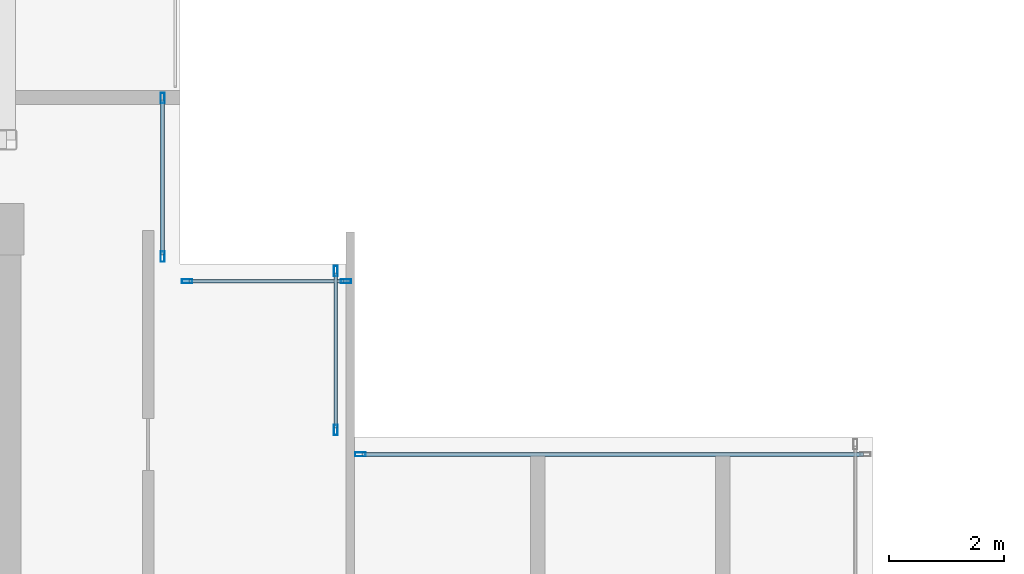
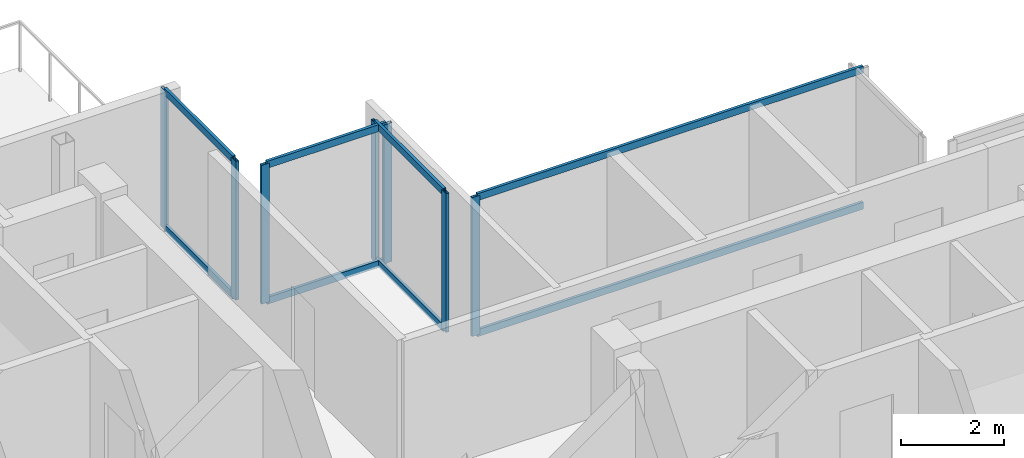
# One storey, part 10 of 19: 15 members, 4 elements without a shape of their own.
"""IFC4 building model written with IfcOpenShell, lengths in metres."""

import ifcopenshell
import ifcopenshell.guid

model = None  # the IFC model being written
_history = None  # IfcOwnerHistory: only IFC2X3 demands one
_inside = {}  # id of a spatial element -> (the spatial element, [elements in it])
_under = {}  # id of a project, library or spatial element -> (it, [spatial elements below it])
_declared = {}  # id of a project -> (the project, [libraries it declares])
_typed = {}  # id of a type object -> (the type object, [elements of that type])
_made_of = {}  # id of a material, layer set ... -> (it, [elements and type objects made of it])


def new_model(schema):
    """Start an empty IFC model of exactly this schema.

    Asked for "IFC4X3", IfcOpenShell would pick the latest addendum, in which some entities
    have other attributes; the version numbers below select the first issue.
    IFC2X3 requires an IfcOwnerHistory on every rooted entity: one is made here for all.
    """
    global model, _history
    if schema == "IFC4X3":
        model = ifcopenshell.file(schema_version=(4, 3, 0, 0))
    else:
        model = ifcopenshell.file(schema=schema)
    _inside.clear()
    _under.clear()
    _declared.clear()
    _typed.clear()
    _made_of.clear()
    _history = None
    if model.schema == "IFC2X3":
        org = make("IfcOrganization", Name="unknown")
        user = make(
            "IfcPersonAndOrganization",
            ThePerson=make("IfcPerson", FamilyName="unknown"),
            TheOrganization=org,
        )
        app = make(
            "IfcApplication",
            ApplicationDeveloper=org,
            Version="unknown",
            ApplicationFullName="unknown",
            ApplicationIdentifier="unknown",
        )
        _history = make(
            "IfcOwnerHistory",
            OwningUser=user,
            OwningApplication=app,
            ChangeAction="ADDED",
            CreationDate=0,
        )
    return model


def make(cls, **values):
    """One entity of the class cls with the attributes given. An attribute that is None is left unset."""
    return model.create_entity(
        cls, **{name: value for name, value in values.items() if value is not None}
    )


def rooted(cls, **values):
    """An entity with a GlobalId (a new one), such as an element, a storey or a relation."""
    return make(cls, GlobalId=ifcopenshell.guid.new(), OwnerHistory=_history, **values)


def si_unit(unit_type, name, prefix=None):
    """IfcSIUnit, for example si_unit("LENGTHUNIT", "METRE", prefix="MILLI")."""
    return make("IfcSIUnit", UnitType=unit_type, Prefix=prefix, Name=name)


def assignment(units):
    """IfcUnitAssignment: the units of a project."""
    return None if units is None else make("IfcUnitAssignment", Units=units)


def point(xyz):
    """IfcCartesianPoint."""
    return None if xyz is None else make("IfcCartesianPoint", Coordinates=xyz)


def direction(xyz):
    """IfcDirection."""
    return None if xyz is None else make("IfcDirection", DirectionRatios=xyz)


def frame(location, z_axis=None, x_axis=None):
    """IfcAxis2Placement3D, a coordinate frame: its origin and axes. An axis left out is left unset."""
    return make(
        "IfcAxis2Placement3D",
        Location=point(location),
        Axis=direction(z_axis),
        RefDirection=direction(x_axis),
    )


def frame_2d(location, x_axis=None):
    """IfcAxis2Placement2D, a coordinate frame in the plane: its origin and x axis."""
    return make(
        "IfcAxis2Placement2D", Location=point(location), RefDirection=direction(x_axis)
    )


def origin():
    """The frame at (0, 0, 0) with its axes left unset."""
    return frame((0.0, 0.0, 0.0))


def origin_2d():
    """The frame at (0, 0) in the plane with its x axis left unset."""
    return frame_2d((0.0, 0.0))


def place(relative_to, where):
    """IfcLocalPlacement: puts the frame where relative to a parent placement (None: the world)."""
    return make(
        "IfcLocalPlacement", PlacementRelTo=relative_to, RelativePlacement=where
    )


def context(
    kind, dimensions, precision=None, world=None, true_north=None, identifier=None
):
    """IfcGeometricRepresentationContext, for example the 3D "Model" context."""
    return make(
        "IfcGeometricRepresentationContext",
        ContextIdentifier=identifier,
        ContextType=kind,
        CoordinateSpaceDimension=dimensions,
        Precision=precision,
        WorldCoordinateSystem=world,
        TrueNorth=true_north,
    )


def subcontext(parent, identifier, kind, view, scale=None):
    """IfcGeometricRepresentationSubContext, for example "Body" below "Model"."""
    return make(
        "IfcGeometricRepresentationSubContext",
        ContextIdentifier=identifier,
        ContextType=kind,
        ParentContext=parent,
        TargetScale=scale,
        TargetView=view,
    )


def project(units=None, contexts=None):
    """IfcProject with its units and contexts."""
    return rooted(
        "IfcProject",
        Name="project",
        RepresentationContexts=contexts,
        UnitsInContext=assignment(units),
    )


def spatial(cls, under=None, at=None, **own):
    """A site, building, storey or space (cls), placed at a placement, below another one or the project."""
    s = rooted(cls, ObjectPlacement=at, **own)
    if under is not None:
        _under.setdefault(under.id(), (under, []))[1].append(s)
    return s


def profile(cls, at=None, kind="AREA", **sizes):
    """A parametric profile (cls). Its sizes go by their IFC names, for example OverallWidth=200.0."""
    return make(cls, ProfileType=kind, Position=at, **sizes)


def hollow_rectangle(**sizes):
    """IfcRectangleHollowProfileDef."""
    return profile("IfcRectangleHollowProfileDef", **sizes)


def extrude(swept, where, along, depth):
    """IfcExtrudedAreaSolid: the profile swept, set in the frame where, extruded along a direction by depth."""
    return make(
        "IfcExtrudedAreaSolid",
        SweptArea=swept,
        Position=where,
        ExtrudedDirection=direction(along),
        Depth=depth,
    )


def shape(context_of_items, identifier, shape_type, items):
    """IfcShapeRepresentation: the items that make up one representation, for example the "Body"."""
    return make(
        "IfcShapeRepresentation",
        ContextOfItems=context_of_items,
        RepresentationIdentifier=identifier,
        RepresentationType=shape_type,
        Items=items,
    )


def material(Name=None, Category=None):
    """IfcMaterial."""
    return make("IfcMaterial", Name=Name, Category=Category)


def layer(
    of_material, thickness, ventilated=None, Name=None, Category=None, Priority=None
):
    """IfcMaterialLayer: one layer of a wall or slab, of a material (None: an air gap)."""
    return make(
        "IfcMaterialLayer",
        Material=of_material,
        LayerThickness=thickness,
        IsVentilated=ventilated,
        Name=Name,
        Category=Category,
        Priority=Priority,
    )


def layer_set(layers, Name=None):
    """IfcMaterialLayerSet."""
    return make("IfcMaterialLayerSet", MaterialLayers=layers, LayerSetName=Name)


def material_profile(
    of_material, cross_section, Name=None, Category=None, Priority=None
):
    """IfcMaterialProfile: a cross section and its material."""
    return make(
        "IfcMaterialProfile",
        Name=Name,
        Material=of_material,
        Profile=cross_section,
        Priority=Priority,
        Category=Category,
    )


def profile_set(profiles, Name=None, composite=None):
    """IfcMaterialProfileSet."""
    return make(
        "IfcMaterialProfileSet",
        Name=Name,
        MaterialProfiles=profiles,
        CompositeProfile=composite,
    )


def made_of(thing, what):
    """Note that an element or type object is made of a material, layer set ...; save() writes the relation."""
    if what is not None:
        _made_of.setdefault(what.id(), (what, []))[1].append(thing)
    return thing


def type_object(cls, material=None, **own):
    """A type object (cls), such as IfcWallType, which elements share."""
    return made_of(rooted(cls, **own), material)


def element(
    cls,
    number,
    at=None,
    inside=None,
    cuts=None,
    type_object=None,
    material=None,
    context=None,
    identifier="Body",
    shape_type=None,
    held_by="IfcProductDefinitionShape",
    body=None,
    shapes=None,
    **own,
):
    """One element of the class cls, such as IfcWall. Its Tag is "e" and its number.

    at: its placement. inside: the storey or other place that contains it. cuts: it is an
    opening in that element (IfcRelVoidsElement). A single representation is given by context,
    identifier, shape_type and body (its items); several are given by shapes. held_by: the class
    of the entity that holds the representations. save() writes the other relations.
    """
    e = rooted(cls, Tag="e%d" % number, ObjectPlacement=at, **own)
    if body is not None:
        shapes = [shape(context, identifier, shape_type, body)]
    if shapes is not None:
        e.Representation = make(held_by, Representations=shapes)
    if inside is not None:
        _inside.setdefault(inside.id(), (inside, []))[1].append(e)
    if cuts is not None:
        rooted(
            "IfcRelVoidsElement", RelatingBuildingElement=cuts, RelatedOpeningElement=e
        )
    if type_object is not None:
        _typed.setdefault(type_object.id(), (type_object, []))[1].append(e)
    return made_of(e, material)


def aggregate(whole, parts):
    """IfcRelAggregates: a whole, such as a stair, and the parts it consists of."""
    return rooted("IfcRelAggregates", RelatingObject=whole, RelatedObjects=parts)


def save(model, path):
    """Write the relations noted so far, then the file.

    IfcRelAggregates (storeys below a building ...), IfcRelContainedInSpatialStructure (elements
    in a storey), IfcRelDefinesByType, IfcRelAssociatesMaterial and IfcRelDeclares: one each for
    every whole, place, type object, material and project.
    """
    for whole, parts in _under.values():
        aggregate(whole, parts)
    for where, things in _inside.values():
        rooted(
            "IfcRelContainedInSpatialStructure",
            RelatedElements=things,
            RelatingStructure=where,
        )
    for kind, things in _typed.values():
        rooted("IfcRelDefinesByType", RelatedObjects=things, RelatingType=kind)
    for what, things in _made_of.values():
        rooted("IfcRelAssociatesMaterial", RelatedObjects=things, RelatingMaterial=what)
    for by, libraries in _declared.values():
        rooted("IfcRelDeclares", RelatingContext=by, RelatedDefinitions=libraries)
    model.write(path)


model = new_model("IFC4")

# Units and contexts
model_context = context("Model", 3, precision=1e-05, world=origin(), true_north=direction((0.0, 1.0)))
body_context = subcontext(model_context, "Body", "Model", "MODEL_VIEW")
ifc_project = project(units=[si_unit("LENGTHUNIT", "METRE"), si_unit("AREAUNIT", "SQUARE_METRE"), si_unit("VOLUMEUNIT", "CUBIC_METRE"), si_unit("PLANEANGLEUNIT", "RADIAN"), si_unit("MASSUNIT", "GRAM", prefix="KILO"), si_unit("THERMODYNAMICTEMPERATUREUNIT", "KELVIN"), si_unit("POWERUNIT", "WATT")], contexts=[model_context])

# Site, building, storey
site_placement = place(None, origin())
site = spatial("IfcSite", under=ifc_project, at=site_placement, CompositionType="ELEMENT")
building_placement = place(site_placement, origin())
building = spatial("IfcBuilding", under=site, at=building_placement, Name="Svarakhadi Broadcast Tower", CompositionType="ELEMENT")
storey_placement = place(building_placement, frame((0.0, 0.0, 239.699951171875)))
storey = spatial("IfcBuildingStorey", under=building, at=storey_placement, Name="L59", CompositionType="ELEMENT", Elevation=239.699951171875)

# Curtain wall, members
ifc_material = material(Name="Anodised Bronze Aluminium AA 6063-T6", Category="aluminium")
ifc_layer = layer(ifc_material, 0.179931640625)
ifc_layer_set = layer_set([ifc_layer], Name="Anodised Bronze Aluminium AA 6063-T6")
curtain_wall_type = type_object("IfcCurtainWallType", Name="CW_Sys_05", PredefinedType="NOTDEFINED", material=ifc_layer_set)
curtain_wall_1_placement = place(storey_placement, origin())
curtain_wall_1 = element("IfcCurtainWall", 1, at=curtain_wall_1_placement, inside=storey, type_object=curtain_wall_type, Name="L59 Unitised Facade Curtain Wall 06", PredefinedType="NOTDEFINED")
ifc_material_profile_1 = material_profile(ifc_material, hollow_rectangle(XDim=0.070068359375, YDim=0.179931640625, WallThickness=0.005615234375, at=origin_2d()), Name="ALU MULLION 180x70x6")
ifc_profile_set_1 = profile_set([ifc_material_profile_1], Name="Anodised Bronze Aluminium AA 6063-T6")
member_type_1 = type_object("IfcMemberType", Name="CW_Sys_05_Mul", PredefinedType="MULLION", material=ifc_profile_set_1)
member_1_placement = place(storey_placement, frame((20.699951171875, 29.875, 0.0), z_axis=(0.0, 0.0, 1.0), x_axis=(1.0, 0.0, 0.0)))
member_1 = element("IfcMember", 2, at=member_1_placement, type_object=member_type_1, Name="CW-05 mullion 1", PredefinedType="MULLION", context=body_context, shape_type="SweptSolid", body=[
    extrude(hollow_rectangle(XDim=0.070068359375, YDim=0.179931640625, WallThickness=0.005615234375, at=origin_2d()), origin(), (0.0, 0.0, 1.0), 3.300048828125),
])
member_2_placement = place(storey_placement, frame((20.699951171875, 27.125, 0.0), z_axis=(0.0, 0.0, 1.0), x_axis=(1.0, 0.0, 0.0)))
member_2 = element("IfcMember", 3, at=member_2_placement, type_object=member_type_1, Name="CW-05 mullion 2", PredefinedType="MULLION", context=body_context, shape_type="SweptSolid", body=[
    extrude(hollow_rectangle(XDim=0.070068359375, YDim=0.179931640625, WallThickness=0.005615234375, at=origin_2d()), origin(), (0.0, 0.0, 1.0), 3.300048828125),
])

curtain_wall_2_placement = place(storey_placement, origin())
curtain_wall_2 = element("IfcCurtainWall", 4, at=curtain_wall_2_placement, inside=storey, type_object=curtain_wall_type, Name="L59 Unitised Facade Curtain Wall 07", PredefinedType="NOTDEFINED")
member_3_placement = place(storey_placement, frame((21.125, 26.699951171875, 0.0), z_axis=(0.0, 0.0, 1.0), x_axis=(0.0, 1.0, 0.0)))
member_3 = element("IfcMember", 5, at=member_3_placement, type_object=member_type_1, Name="CW-05 mullion 1", PredefinedType="MULLION", context=body_context, shape_type="SweptSolid", body=[
    extrude(hollow_rectangle(XDim=0.070068359375, YDim=0.179931640625, WallThickness=0.005615234375, at=origin_2d()), origin(), (0.0, 0.0, 1.0), 3.300048828125),
])
member_4_placement = place(storey_placement, frame((23.875, 26.699951171875, 0.0), z_axis=(0.0, 0.0, 1.0), x_axis=(0.0, 1.0, 0.0)))
member_4 = element("IfcMember", 6, at=member_4_placement, type_object=member_type_1, Name="CW-05 mullion 2", PredefinedType="MULLION", context=body_context, shape_type="SweptSolid", body=[
    extrude(hollow_rectangle(XDim=0.070068359375, YDim=0.179931640625, WallThickness=0.005615234375, at=origin_2d()), origin(), (0.0, 0.0, 1.0), 3.300048828125),
])

curtain_wall_3_placement = place(storey_placement, origin())
curtain_wall_3 = element("IfcCurtainWall", 7, at=curtain_wall_3_placement, inside=storey, type_object=curtain_wall_type, Name="L59 Unitised Facade Curtain Wall 08", PredefinedType="NOTDEFINED")
member_5_placement = place(storey_placement, frame((23.699951171875, 26.875, 0.0), z_axis=(0.0, 0.0, 1.0), x_axis=(1.0, 0.0, 0.0)))
member_5 = element("IfcMember", 8, at=member_5_placement, type_object=member_type_1, Name="CW-05 mullion 1", PredefinedType="MULLION", context=body_context, shape_type="SweptSolid", body=[
    extrude(hollow_rectangle(XDim=0.070068359375, YDim=0.179931640625, WallThickness=0.005615234375, at=origin_2d()), origin(), (0.0, 0.0, 1.0), 3.300048828125),
])
member_6_placement = place(storey_placement, frame((23.699951171875, 24.125, 0.0), z_axis=(0.0, 0.0, 1.0), x_axis=(1.0, 0.0, 0.0)))
member_6 = element("IfcMember", 9, at=member_6_placement, type_object=member_type_1, Name="CW-05 mullion 2", PredefinedType="MULLION", context=body_context, shape_type="SweptSolid", body=[
    extrude(hollow_rectangle(XDim=0.070068359375, YDim=0.179931640625, WallThickness=0.005615234375, at=origin_2d()), origin(), (0.0, 0.0, 1.0), 3.300048828125),
])

# Curtain wall, member
curtain_wall_4_placement = place(storey_placement, origin())
curtain_wall_4 = element("IfcCurtainWall", 10, at=curtain_wall_4_placement, inside=storey, type_object=curtain_wall_type, Name="L59 Unitised Facade Curtain Wall 09", PredefinedType="NOTDEFINED")
member_7_placement = place(storey_placement, frame((24.125, 23.699951171875, 0.0), z_axis=(0.0, 0.0, 1.0), x_axis=(0.0, 1.0, 0.0)))
member_7 = element("IfcMember", 11, at=member_7_placement, type_object=member_type_1, Name="CW-05 mullion 1", PredefinedType="MULLION", context=body_context, shape_type="SweptSolid", body=[
    extrude(hollow_rectangle(XDim=0.070068359375, YDim=0.179931640625, WallThickness=0.005615234375, at=origin_2d()), origin(), (0.0, 0.0, 1.0), 3.300048828125),
])

# Member
ifc_material_profile_2 = material_profile(ifc_material, hollow_rectangle(XDim=0.06494140625, YDim=0.1650390625, WallThickness=0.0048828125, at=origin_2d()), Name="ALU TRANSOM 165x65x5")
ifc_profile_set_2 = profile_set([ifc_material_profile_2], Name="Anodised Bronze Aluminium AA 6063-T6")
member_type_2 = type_object("IfcMemberType", Name="CW_Sys_05_Trn", PredefinedType="USERDEFINED", material=ifc_profile_set_2)
member_8_placement = place(storey_placement, frame((20.699951171875, 29.840087890625, 0.032470703125), z_axis=(0.0, -1.0, 0.0), x_axis=(1.0, 0.0, 0.0)))
member_8 = element("IfcMember", 12, at=member_8_placement, type_object=member_type_2, Name="CW-05 transom 1.1", ObjectType="TRANSOM", PredefinedType="USERDEFINED", context=body_context, shape_type="SweptSolid", body=[
    extrude(hollow_rectangle(XDim=0.06494140625, YDim=0.1650390625, WallThickness=0.0048828125, at=origin_2d()), origin(), (0.0, 0.0, 1.0), 2.68017578125),
])

member_9_placement = place(storey_placement, frame((20.699951171875, 29.840087890625, 3.267578125), z_axis=(0.0, -1.0, 0.0), x_axis=(1.0, 0.0, 0.0)))
member_9 = element("IfcMember", 13, at=member_9_placement, type_object=member_type_2, Name="CW-05 transom 1.2", ObjectType="TRANSOM", PredefinedType="USERDEFINED", context=body_context, shape_type="SweptSolid", body=[
    extrude(hollow_rectangle(XDim=0.06494140625, YDim=0.1650390625, WallThickness=0.0048828125, at=origin_2d()), origin(), (0.0, 0.0, 1.0), 2.68017578125),
])

aggregate(curtain_wall_1, [member_1, member_2, member_8, member_9])

member_10_placement = place(storey_placement, frame((21.159912109375, 26.699951171875, 0.032470703125), z_axis=(1.0, 0.0, 0.0), x_axis=(0.0, 1.0, 0.0)))
member_10 = element("IfcMember", 14, at=member_10_placement, type_object=member_type_2, Name="CW-05 transom 1.1", ObjectType="TRANSOM", PredefinedType="USERDEFINED", context=body_context, shape_type="SweptSolid", body=[
    extrude(hollow_rectangle(XDim=0.06494140625, YDim=0.1650390625, WallThickness=0.0048828125, at=origin_2d()), origin(), (0.0, 0.0, 1.0), 2.68017578125),
])

member_11_placement = place(storey_placement, frame((21.159912109375, 26.699951171875, 3.267578125), z_axis=(1.0, 0.0, 0.0), x_axis=(0.0, 1.0, 0.0)))
member_11 = element("IfcMember", 15, at=member_11_placement, type_object=member_type_2, Name="CW-05 transom 1.2", ObjectType="TRANSOM", PredefinedType="USERDEFINED", context=body_context, shape_type="SweptSolid", body=[
    extrude(hollow_rectangle(XDim=0.06494140625, YDim=0.1650390625, WallThickness=0.0048828125, at=origin_2d()), origin(), (0.0, 0.0, 1.0), 2.68017578125),
])

aggregate(curtain_wall_2, [member_3, member_4, member_10, member_11])

member_12_placement = place(storey_placement, frame((23.699951171875, 26.840087890625, 0.032470703125), z_axis=(0.0, -1.0, 0.0), x_axis=(1.0, 0.0, 0.0)))
member_12 = element("IfcMember", 16, at=member_12_placement, type_object=member_type_2, Name="CW-05 transom 1.1", ObjectType="TRANSOM", PredefinedType="USERDEFINED", context=body_context, shape_type="SweptSolid", body=[
    extrude(hollow_rectangle(XDim=0.06494140625, YDim=0.1650390625, WallThickness=0.0048828125, at=origin_2d()), origin(), (0.0, 0.0, 1.0), 2.68017578125),
])

member_13_placement = place(storey_placement, frame((23.699951171875, 26.840087890625, 3.267578125), z_axis=(0.0, -1.0, 0.0), x_axis=(1.0, 0.0, 0.0)))
member_13 = element("IfcMember", 17, at=member_13_placement, type_object=member_type_2, Name="CW-05 transom 1.2", ObjectType="TRANSOM", PredefinedType="USERDEFINED", context=body_context, shape_type="SweptSolid", body=[
    extrude(hollow_rectangle(XDim=0.06494140625, YDim=0.1650390625, WallThickness=0.0048828125, at=origin_2d()), origin(), (0.0, 0.0, 1.0), 2.68017578125),
])

aggregate(curtain_wall_3, [member_5, member_6, member_12, member_13])

member_14_placement = place(storey_placement, frame((24.159912109375, 23.699951171875, 0.032470703125), z_axis=(1.0, 0.0, 0.0), x_axis=(0.0, 1.0, 0.0)))
member_14 = element("IfcMember", 18, at=member_14_placement, type_object=member_type_2, Name="CW-05 transom 1.1", ObjectType="TRANSOM", PredefinedType="USERDEFINED", context=body_context, shape_type="SweptSolid", body=[
    extrude(hollow_rectangle(XDim=0.06494140625, YDim=0.1650390625, WallThickness=0.0048828125, at=origin_2d()), origin(), (0.0, 0.0, 1.0), 8.68017578125),
])

member_15_placement = place(storey_placement, frame((24.159912109375, 23.699951171875, 3.267578125), z_axis=(1.0, 0.0, 0.0), x_axis=(0.0, 1.0, 0.0)))
member_15 = element("IfcMember", 19, at=member_15_placement, type_object=member_type_2, Name="CW-05 transom 1.2", ObjectType="TRANSOM", PredefinedType="USERDEFINED", context=body_context, shape_type="SweptSolid", body=[
    extrude(hollow_rectangle(XDim=0.06494140625, YDim=0.1650390625, WallThickness=0.0048828125, at=origin_2d()), origin(), (0.0, 0.0, 1.0), 8.68017578125),
])

aggregate(curtain_wall_4, [member_7, member_14, member_15])

save(model, "model.ifc")
